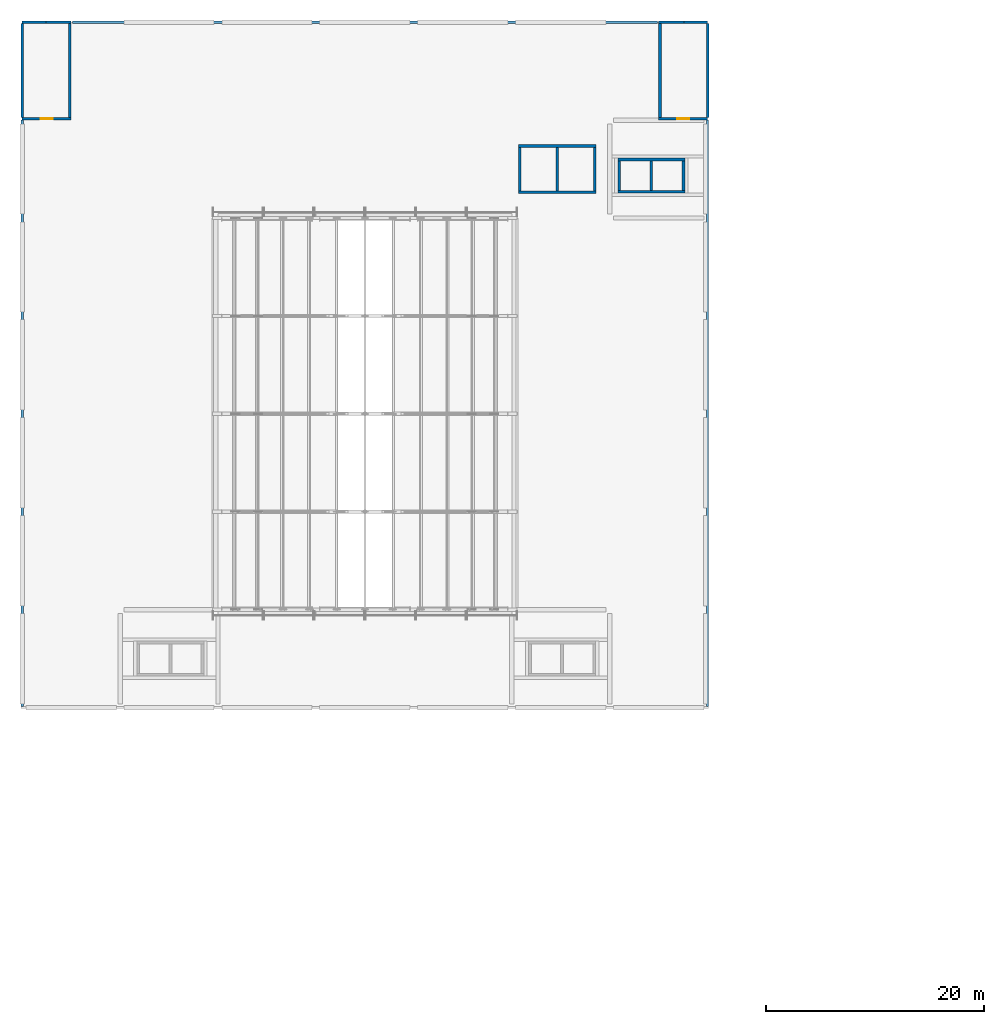
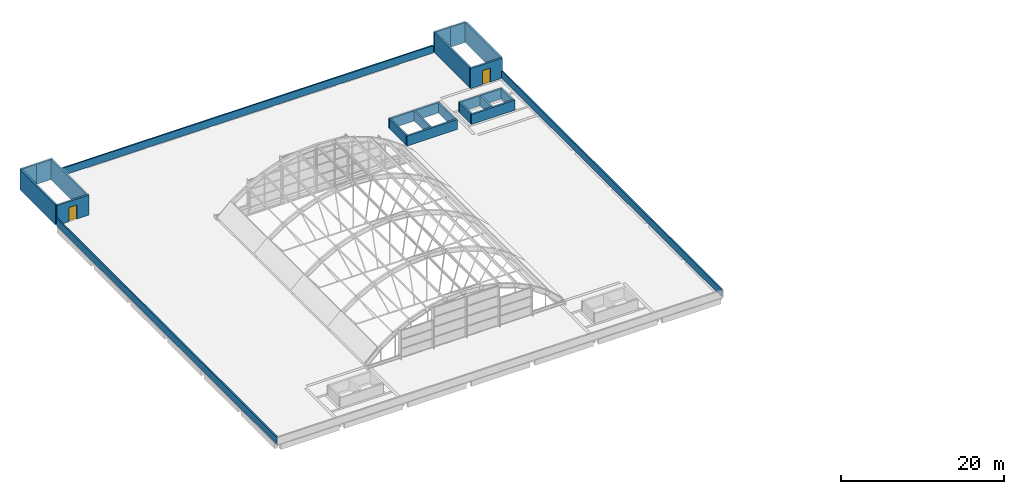
# One storey, part 32 of 43: 23 walls, 2 doors, 2 openings.
"""IFC4 building model written with IfcOpenShell, lengths in metres."""

from ifc_helpers import new_model, si_unit, direction, frame, frame_2d, origin, place, context, subcontext, project, spatial, rectangle, extrude, material, layer, layer_set, type_object, element, fill, save


model = new_model("IFC4")

# Units and contexts
model_context = context("Model", 3, precision=1e-05, world=origin(), true_north=direction((0.0, 1.0)))
body_context = subcontext(model_context, "Body", "Model", "MODEL_VIEW")
ifc_project = project(units=[si_unit("LENGTHUNIT", "METRE"), si_unit("AREAUNIT", "SQUARE_METRE"), si_unit("VOLUMEUNIT", "CUBIC_METRE"), si_unit("PLANEANGLEUNIT", "RADIAN"), si_unit("MASSUNIT", "GRAM", prefix="KILO")], contexts=[model_context])

# Site, building, storey
site_placement = place(None, origin())
site = spatial("IfcSite", under=ifc_project, at=site_placement, CompositionType="ELEMENT")
building_placement = place(site_placement, origin())
building = spatial("IfcBuilding", under=site, at=building_placement, Name="Guidao Yard Department Store", CompositionType="ELEMENT")
storey_placement = place(building_placement, frame((0.0, 0.0, 28.5)))
storey = spatial("IfcBuildingStorey", under=building, at=storey_placement, Name="L06", CompositionType="ELEMENT", Elevation=28.5)

# Walls
ifc_material_1 = material(Name="Concrete C30", Category="concrete")
ifc_layer_1 = layer(ifc_material_1, 0.199951171875)
ifc_layer_set_1 = layer_set([ifc_layer_1], Name="Parapet wall 200 C30")
wall_type_1 = type_object("IfcWallType", Name="Parapet wall 200 C30", PredefinedType="PARAPET", material=ifc_layer_set_1)
wall_1_placement = place(storey_placement, frame((0.0, 45.10009765625, 0.0), z_axis=(0.0, 0.0, 1.0), x_axis=(0.0, 1.0, 0.0)))
element("IfcWall", 1, at=wall_1_placement, inside=storey, type_object=wall_type_1, Name="Parapet", PredefinedType="PARAPET", context=body_context, shape_type="SweptSolid", body=[
    extrude(rectangle(XDim=53.89990234375, YDim=0.199951171875, at=frame_2d((26.949951171875, 0.0))), origin(), (0.0, 0.0, 1.0), 1.10009765625),
])
wall_2_placement = place(storey_placement, frame((4.625, 108.0, 0.0), z_axis=(0.0, 0.0, 1.0), x_axis=(1.0, 0.0, 0.0)))
element("IfcWall", 2, at=wall_2_placement, inside=storey, type_object=wall_type_1, Name="Parapet", PredefinedType="PARAPET", context=body_context, shape_type="SweptSolid", body=[
    extrude(rectangle(XDim=53.75, YDim=0.199951171875, at=frame_2d((26.875, 0.0))), origin(), (0.0, 0.0, 1.0), 1.10009765625),
])
wall_3_placement = place(storey_placement, frame((63.0, 45.10009765625, 0.0), z_axis=(0.0, 0.0, 1.0), x_axis=(0.0, 1.0, 0.0)))
element("IfcWall", 3, at=wall_3_placement, inside=storey, type_object=wall_type_1, Name="Parapet", PredefinedType="PARAPET", context=body_context, shape_type="SweptSolid", body=[
    extrude(rectangle(XDim=53.89990234375, YDim=0.199951171875, at=frame_2d((26.949951171875, 0.0))), origin(), (0.0, 0.0, 1.0), 1.10009765625),
])

# Wall, opening, door
ifc_material_2 = material(Name="Concrete C40", Category="concrete")
ifc_layer_2 = layer(ifc_material_2, 0.25)
ifc_layer_set_2 = layer_set([ifc_layer_2], Name="Wall RC 250 C40 stair and shaft")
wall_type_2 = type_object("IfcWallType", Name="Wall RC 250 C40 stair and shaft", PredefinedType="SHEAR", material=ifc_layer_set_2)
wall_4_placement = place(storey_placement, frame((0.0, 99.125, 0.0), z_axis=(0.0, 0.0, 1.0), x_axis=(1.0, 0.0, 0.0)))
wall_4 = element("IfcWall", 4, at=wall_4_placement, inside=storey, type_object=wall_type_2, Name="Stair wall SA5", PredefinedType="SHEAR", context=body_context, shape_type="SweptSolid", body=[
    extrude(rectangle(XDim=4.5, YDim=0.25, at=frame_2d((2.25, 0.0))), origin(), (0.0, 0.0, 1.0), 3.0),
])
opening_1_placement = place(wall_4_placement, frame((2.800048828125, 0.0, 0.0), z_axis=(0.0, 0.0, 1.0), x_axis=(-1.0, 0.0, 0.0)))
opening_1 = element("IfcOpeningElement", 5, at=opening_1_placement, cuts=wall_4, Name="Opening L06-800", PredefinedType="OPENING", context=body_context, shape_type="SweptSolid", body=[
    extrude(rectangle(XDim=1.10009765625, YDim=2.10009765625, at=frame_2d((0.550048828125, 1.050048828125))), frame((0.0, 0.135009765625, 0.0), z_axis=(0.0, -1.0, 0.0), x_axis=(1.0, 0.0, 0.0)), (0.0, 0.0, 1.0), 0.27001953125),
])
ifc_material_3 = material(Name="Steel Q235", Category="steel")
door_type = type_object("IfcDoorType", Name="Door fire-resisting 1100 x 2100 FD60", OperationType="SINGLE_SWING_LEFT", PredefinedType="DOOR", material=ifc_material_3)
door_1_placement = place(opening_1_placement, origin())
door_1 = element("IfcDoor", 6, at=door_1_placement, inside=storey, type_object=door_type, Name="Stair A5 door L06", OperationType="SINGLE_SWING_LEFT", OverallHeight=2.10009765625, OverallWidth=1.10009765625, PredefinedType="DOOR", context=body_context, shape_type="SweptSolid", body=[
    extrude(rectangle(XDim=1.10009765625, YDim=2.10009765625, at=frame_2d((0.550048828125, 1.050048828125))), frame((0.0, 0.02490234375, 0.0), z_axis=(0.0, -1.0, 0.0), x_axis=(1.0, 0.0, 0.0)), (0.0, 0.0, 1.0), 0.050048828125),
])
fill(opening_1, door_1)

# Walls
wall_5_placement = place(storey_placement, frame((0.0, 108.0, 0.0), z_axis=(0.0, 0.0, 1.0), x_axis=(1.0, 0.0, 0.0)))
element("IfcWall", 7, at=wall_5_placement, inside=storey, type_object=wall_type_2, Name="Stair wall SA5", PredefinedType="SHEAR", context=body_context, shape_type="SweptSolid", body=[
    extrude(rectangle(XDim=2.18798828125, YDim=0.25, at=frame_2d((1.093994140625, 0.0))), origin(), (0.0, 0.0, 1.0), 3.0),
])
wall_6_placement = place(storey_placement, frame((2.18798828125, 108.0, 0.0), z_axis=(0.0, 0.0, 1.0), x_axis=(1.0, 0.0, 0.0)))
element("IfcWall", 8, at=wall_6_placement, inside=storey, type_object=wall_type_2, Name="Stair wall SA5", PredefinedType="SHEAR", context=body_context, shape_type="SweptSolid", body=[
    extrude(rectangle(XDim=2.31201171875, YDim=0.25, at=frame_2d((1.156005859375, 0.0))), origin(), (0.0, 0.0, 1.0), 3.0),
])
for number, where, z_axis, x_axis, name in (
    (9, (0.0, 99.25, 0.0), (0.0, 0.0, 1.0), (0.0, 1.0, 0.0), "Stair wall SA5"),
    (10, (4.375, 99.25, 0.0), (0.0, 0.0, 1.0), (0.0, 1.0, 0.0), "Stair wall SA5"),
):
    element("IfcWall", number, at=place(storey_placement, frame(where, z_axis=z_axis, x_axis=x_axis)), inside=storey, type_object=wall_type_2, Name=name, PredefinedType="SHEAR", context=body_context, shape_type="SweptSolid", body=[
        extrude(rectangle(XDim=8.625, YDim=0.25, at=frame_2d((4.3125, 0.0))), origin(), (0.0, 0.0, 1.0), 3.0),
    ])

# Wall, opening, door
wall_7_placement = place(storey_placement, frame((58.5, 99.125, 0.0), z_axis=(0.0, 0.0, 1.0), x_axis=(1.0, 0.0, 0.0)))
wall_7 = element("IfcWall", 11, at=wall_7_placement, inside=storey, type_object=wall_type_2, Name="Stair wall SA6", PredefinedType="SHEAR", context=body_context, shape_type="SweptSolid", body=[
    extrude(rectangle(XDim=4.5, YDim=0.25, at=frame_2d((2.25, 0.0))), origin(), (0.0, 0.0, 1.0), 3.0),
])
opening_2_placement = place(wall_7_placement, frame((2.800048828125, 0.0, 0.0), z_axis=(0.0, 0.0, 1.0), x_axis=(-1.0, 0.0, 0.0)))
opening_2 = element("IfcOpeningElement", 12, at=opening_2_placement, cuts=wall_7, Name="Opening L06-801", PredefinedType="OPENING", context=body_context, shape_type="SweptSolid", body=[
    extrude(rectangle(XDim=1.10009765625, YDim=2.10009765625, at=frame_2d((0.550048828125, 1.050048828125))), frame((0.0, 0.135009765625, 0.0), z_axis=(0.0, -1.0, 0.0), x_axis=(1.0, 0.0, 0.0)), (0.0, 0.0, 1.0), 0.27001953125),
])
door_2_placement = place(opening_2_placement, origin())
door_2 = element("IfcDoor", 13, at=door_2_placement, inside=storey, type_object=door_type, Name="Stair A6 door L06", OperationType="SINGLE_SWING_LEFT", OverallHeight=2.10009765625, OverallWidth=1.10009765625, PredefinedType="DOOR", context=body_context, shape_type="SweptSolid", body=[
    extrude(rectangle(XDim=1.10009765625, YDim=2.10009765625, at=frame_2d((0.550048828125, 1.050048828125))), frame((0.0, 0.02490234375, 0.0), z_axis=(0.0, -1.0, 0.0), x_axis=(1.0, 0.0, 0.0)), (0.0, 0.0, 1.0), 0.050048828125),
])
fill(opening_2, door_2)

# Walls
wall_8_placement = place(storey_placement, frame((58.5, 108.0, 0.0), z_axis=(0.0, 0.0, 1.0), x_axis=(1.0, 0.0, 0.0)))
element("IfcWall", 14, at=wall_8_placement, inside=storey, type_object=wall_type_2, Name="Stair wall SA6", PredefinedType="SHEAR", context=body_context, shape_type="SweptSolid", body=[
    extrude(rectangle(XDim=2.31201171875, YDim=0.25, at=frame_2d((1.156005859375, 0.0))), origin(), (0.0, 0.0, 1.0), 3.0),
])
wall_9_placement = place(storey_placement, frame((60.81201171875, 108.0, 0.0), z_axis=(0.0, 0.0, 1.0), x_axis=(1.0, 0.0, 0.0)))
element("IfcWall", 15, at=wall_9_placement, inside=storey, type_object=wall_type_2, Name="Stair wall SA6", PredefinedType="SHEAR", context=body_context, shape_type="SweptSolid", body=[
    extrude(rectangle(XDim=2.18798828125, YDim=0.25, at=frame_2d((1.093994140625, 0.0))), origin(), (0.0, 0.0, 1.0), 3.0),
])
for number, where, z_axis, x_axis, name in (
    (16, (58.625, 99.25, 0.0), (0.0, 0.0, 1.0), (0.0, 1.0, 0.0), "Stair wall SA6"),
    (17, (63.0, 99.25, 0.0), (0.0, 0.0, 1.0), (0.0, 1.0, 0.0), "Stair wall SA6"),
):
    element("IfcWall", number, at=place(storey_placement, frame(where, z_axis=z_axis, x_axis=x_axis)), inside=storey, type_object=wall_type_2, Name=name, PredefinedType="SHEAR", context=body_context, shape_type="SweptSolid", body=[
        extrude(rectangle(XDim=8.625, YDim=0.25, at=frame_2d((4.3125, 0.0))), origin(), (0.0, 0.0, 1.0), 3.0),
    ])
for number, where, z_axis, x_axis, name in (
    (18, (45.60009765625, 96.625, 0.0), (0.0, 0.0, 1.0), (1.0, 0.0, 0.0), "Lift shaft wall HG1 to HG2"),
    (19, (45.60009765625, 92.375, 0.0), (0.0, 0.0, 1.0), (1.0, 0.0, 0.0), "Lift shaft wall HG1 to HG2"),
):
    element("IfcWall", number, at=place(storey_placement, frame(where, z_axis=z_axis, x_axis=x_axis)), inside=storey, type_object=wall_type_2, Name=name, PredefinedType="SHEAR", context=body_context, shape_type="SweptSolid", body=[
        extrude(rectangle(XDim=7.14990234375, YDim=0.25, at=frame_2d((3.574951171875, 0.0))), origin(), (0.0, 0.0, 1.0), 1.5),
    ])
for number, where, z_axis, x_axis, name in (
    (20, (45.72509765625, 92.5, 0.0), (0.0, 0.0, 1.0), (0.0, 1.0, 0.0), "Lift shaft wall HG1 to HG2"),
    (21, (49.175048828125, 92.5, 0.0), (0.0, 0.0, 1.0), (0.0, 1.0, 0.0), "Lift shaft wall HG1 to HG2"),
    (22, (52.625, 92.5, 0.0), (0.0, 0.0, 1.0), (0.0, 1.0, 0.0), "Lift shaft wall HG1 to HG2"),
):
    element("IfcWall", number, at=place(storey_placement, frame(where, z_axis=z_axis, x_axis=x_axis)), inside=storey, type_object=wall_type_2, Name=name, PredefinedType="SHEAR", context=body_context, shape_type="SweptSolid", body=[
        extrude(rectangle(XDim=4.0, YDim=0.25, at=frame_2d((2.0, 0.0))), origin(), (0.0, 0.0, 1.0), 1.5),
    ])
for number, where, z_axis, x_axis, name in (
    (23, (54.75, 95.375, 0.0), (0.0, 0.0, 1.0), (1.0, 0.0, 0.0), "Lift shaft wall HF1 to HF2"),
    (24, (54.75, 92.425048828125, 0.0), (0.0, 0.0, 1.0), (1.0, 0.0, 0.0), "Lift shaft wall HF1 to HF2"),
):
    element("IfcWall", number, at=place(storey_placement, frame(where, z_axis=z_axis, x_axis=x_axis)), inside=storey, type_object=wall_type_2, Name=name, PredefinedType="SHEAR", context=body_context, shape_type="SweptSolid", body=[
        extrude(rectangle(XDim=6.14990234375, YDim=0.25, at=frame_2d((3.074951171875, 0.0))), origin(), (0.0, 0.0, 1.0), 1.5),
    ])
for number, where, z_axis, x_axis, name in (
    (25, (54.875, 92.550048828125, 0.0), (0.0, 0.0, 1.0), (0.0, 1.0, 0.0), "Lift shaft wall HF1 to HF2"),
    (26, (57.824951171875, 92.550048828125, 0.0), (0.0, 0.0, 1.0), (0.0, 1.0, 0.0), "Lift shaft wall HF1 to HF2"),
    (27, (60.77490234375, 92.550048828125, 0.0), (0.0, 0.0, 1.0), (0.0, 1.0, 0.0), "Lift shaft wall HF1 to HF2"),
):
    element("IfcWall", number, at=place(storey_placement, frame(where, z_axis=z_axis, x_axis=x_axis)), inside=storey, type_object=wall_type_2, Name=name, PredefinedType="SHEAR", context=body_context, shape_type="SweptSolid", body=[
        extrude(rectangle(XDim=2.699951171875, YDim=0.25, at=frame_2d((1.35009765625, 0.0))), origin(), (0.0, 0.0, 1.0), 1.5),
    ])

save(model, "model.ifc")
